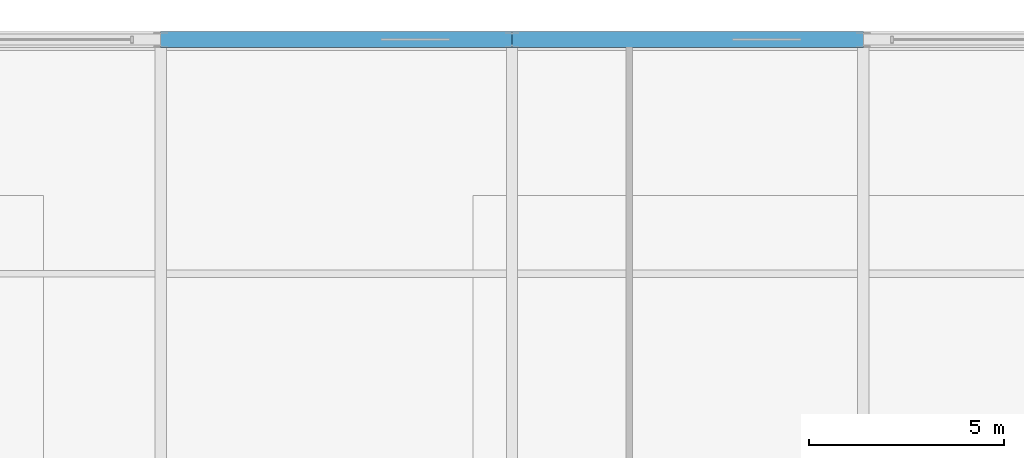
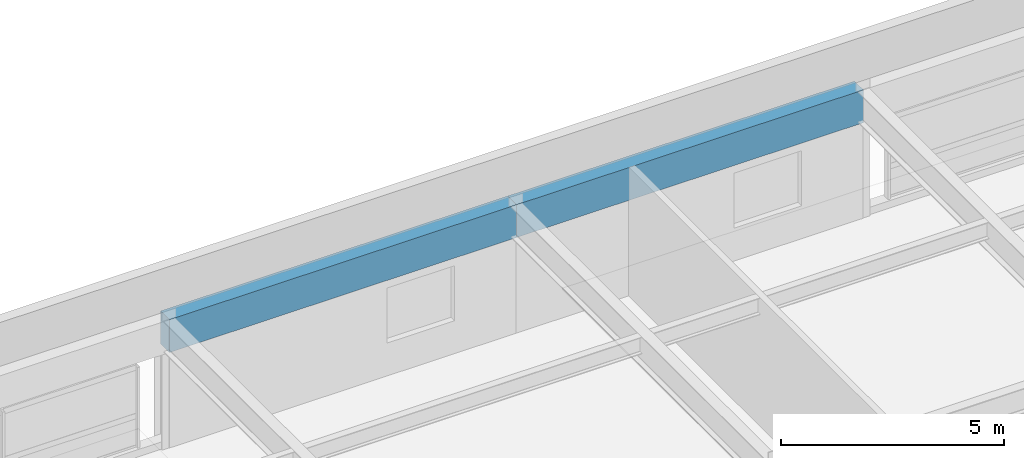
# One storey, part 79 of 108: 2 beams.
"""IFC4 building model written with IfcOpenShell, lengths in metres."""

from ifc_helpers import new_model, si_unit, direction, frame, origin, origin_2d, place, context, subcontext, project, spatial, rectangle, extrude, material, material_profile, profile_set, type_object, element, save


model = new_model("IFC4")

# Units and contexts
model_context = context("Model", 3, precision=1e-05, world=origin(), true_north=direction((0.0, 1.0)))
body_context = subcontext(model_context, "Body", "Model", "MODEL_VIEW")
ifc_project = project(units=[si_unit("LENGTHUNIT", "METRE"), si_unit("AREAUNIT", "SQUARE_METRE"), si_unit("VOLUMEUNIT", "CUBIC_METRE"), si_unit("PLANEANGLEUNIT", "RADIAN"), si_unit("MASSUNIT", "GRAM", prefix="KILO")], contexts=[model_context])

# Site, building, storey
site_placement = place(None, origin())
site = spatial("IfcSite", under=ifc_project, at=site_placement, CompositionType="ELEMENT")
building_placement = place(site_placement, origin())
building = spatial("IfcBuilding", under=site, at=building_placement, Name="Kaldorvane Square Convention Centre", CompositionType="ELEMENT")
storey_placement = place(building_placement, frame((0.0, 0.0, 23.399993896484375)))
storey = spatial("IfcBuildingStorey", under=building, at=storey_placement, Name="L04", CompositionType="ELEMENT", Elevation=23.399993896484375)

# Beams
ifc_material = material(Name="Concrete f'c = 42 MPa (Normalweight)", Category="concrete")
ifc_material_profile = material_profile(ifc_material, rectangle(XDim=0.399993896484375, YDim=0.899993896484375, at=origin_2d()), Name="RCSP900X400")
ifc_profile_set = profile_set([ifc_material_profile], Name="Concrete f'c = 42 MPa (Normalweight)")
beam_type = type_object("IfcBeamType", Name="BM-SP-RC900", PredefinedType="SPANDREL", material=ifc_profile_set)
for number, where, z_axis, x_axis, name in (
    (1, (138.0, 117.0, 3.0760040283203125), (1.0, 0.0, 0.0), (0.0, 1.0, 0.0), "Perimeter Spandrel (L04)"),
    (2, (147.0, 117.0, 3.0760040283203125), (1.0, 0.0, 0.0), (0.0, 1.0, 0.0), "Perimeter Spandrel (L04)"),
):
    element("IfcBeam", number, at=place(storey_placement, frame(where, z_axis=z_axis, x_axis=x_axis)), inside=storey, type_object=beam_type, Name=name, PredefinedType="SPANDREL", context=body_context, shape_type="SweptSolid", body=[
        extrude(rectangle(XDim=0.399993896484375, YDim=0.899993896484375, at=origin_2d()), origin(), (0.0, 0.0, 1.0), 9.0),
    ])

save(model, "model.ifc")
